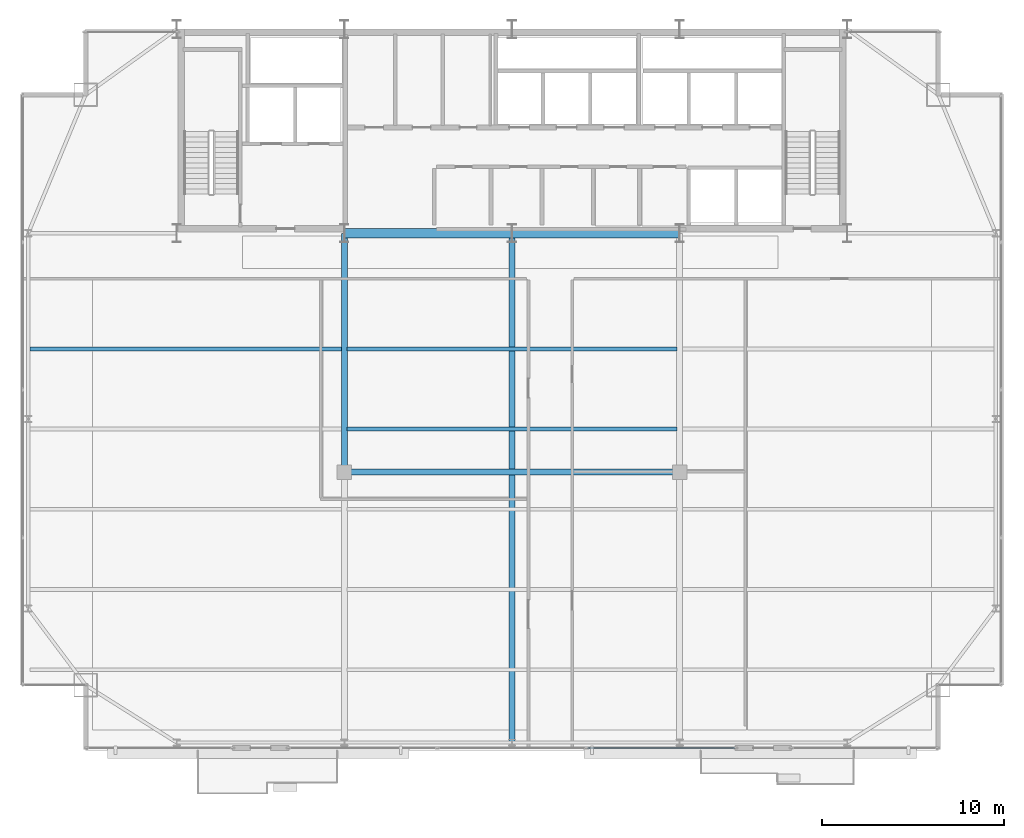
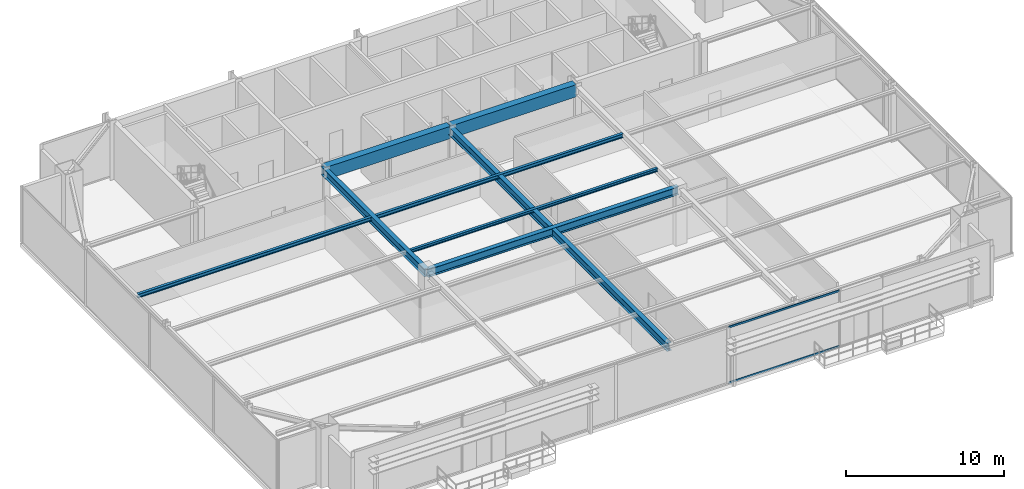
# One storey, part 12 of 25: 8 beams, 2 members, 1 element without a shape of its own.
"""IFC4 building model written with IfcOpenShell, lengths in metres."""

import ifcopenshell
import ifcopenshell.guid

model = None  # the IFC model being written
_history = None  # IfcOwnerHistory: only IFC2X3 demands one
_inside = {}  # id of a spatial element -> (the spatial element, [elements in it])
_under = {}  # id of a project, library or spatial element -> (it, [spatial elements below it])
_declared = {}  # id of a project -> (the project, [libraries it declares])
_typed = {}  # id of a type object -> (the type object, [elements of that type])
_made_of = {}  # id of a material, layer set ... -> (it, [elements and type objects made of it])


def new_model(schema):
    """Start an empty IFC model of exactly this schema.

    Asked for "IFC4X3", IfcOpenShell would pick the latest addendum, in which some entities
    have other attributes; the version numbers below select the first issue.
    IFC2X3 requires an IfcOwnerHistory on every rooted entity: one is made here for all.
    """
    global model, _history
    if schema == "IFC4X3":
        model = ifcopenshell.file(schema_version=(4, 3, 0, 0))
    else:
        model = ifcopenshell.file(schema=schema)
    _inside.clear()
    _under.clear()
    _declared.clear()
    _typed.clear()
    _made_of.clear()
    _history = None
    if model.schema == "IFC2X3":
        org = make("IfcOrganization", Name="unknown")
        user = make(
            "IfcPersonAndOrganization",
            ThePerson=make("IfcPerson", FamilyName="unknown"),
            TheOrganization=org,
        )
        app = make(
            "IfcApplication",
            ApplicationDeveloper=org,
            Version="unknown",
            ApplicationFullName="unknown",
            ApplicationIdentifier="unknown",
        )
        _history = make(
            "IfcOwnerHistory",
            OwningUser=user,
            OwningApplication=app,
            ChangeAction="ADDED",
            CreationDate=0,
        )
    return model


def make(cls, **values):
    """One entity of the class cls with the attributes given. An attribute that is None is left unset."""
    return model.create_entity(
        cls, **{name: value for name, value in values.items() if value is not None}
    )


def rooted(cls, **values):
    """An entity with a GlobalId (a new one), such as an element, a storey or a relation."""
    return make(cls, GlobalId=ifcopenshell.guid.new(), OwnerHistory=_history, **values)


def si_unit(unit_type, name, prefix=None):
    """IfcSIUnit, for example si_unit("LENGTHUNIT", "METRE", prefix="MILLI")."""
    return make("IfcSIUnit", UnitType=unit_type, Prefix=prefix, Name=name)


def assignment(units):
    """IfcUnitAssignment: the units of a project."""
    return None if units is None else make("IfcUnitAssignment", Units=units)


def point(xyz):
    """IfcCartesianPoint."""
    return None if xyz is None else make("IfcCartesianPoint", Coordinates=xyz)


def direction(xyz):
    """IfcDirection."""
    return None if xyz is None else make("IfcDirection", DirectionRatios=xyz)


def frame(location, z_axis=None, x_axis=None):
    """IfcAxis2Placement3D, a coordinate frame: its origin and axes. An axis left out is left unset."""
    return make(
        "IfcAxis2Placement3D",
        Location=point(location),
        Axis=direction(z_axis),
        RefDirection=direction(x_axis),
    )


def frame_2d(location, x_axis=None):
    """IfcAxis2Placement2D, a coordinate frame in the plane: its origin and x axis."""
    return make(
        "IfcAxis2Placement2D", Location=point(location), RefDirection=direction(x_axis)
    )


def origin():
    """The frame at (0, 0, 0) with its axes left unset."""
    return frame((0.0, 0.0, 0.0))


def origin_2d():
    """The frame at (0, 0) in the plane with its x axis left unset."""
    return frame_2d((0.0, 0.0))


def place(relative_to, where):
    """IfcLocalPlacement: puts the frame where relative to a parent placement (None: the world)."""
    return make(
        "IfcLocalPlacement", PlacementRelTo=relative_to, RelativePlacement=where
    )


def context(
    kind, dimensions, precision=None, world=None, true_north=None, identifier=None
):
    """IfcGeometricRepresentationContext, for example the 3D "Model" context."""
    return make(
        "IfcGeometricRepresentationContext",
        ContextIdentifier=identifier,
        ContextType=kind,
        CoordinateSpaceDimension=dimensions,
        Precision=precision,
        WorldCoordinateSystem=world,
        TrueNorth=true_north,
    )


def subcontext(parent, identifier, kind, view, scale=None):
    """IfcGeometricRepresentationSubContext, for example "Body" below "Model"."""
    return make(
        "IfcGeometricRepresentationSubContext",
        ContextIdentifier=identifier,
        ContextType=kind,
        ParentContext=parent,
        TargetScale=scale,
        TargetView=view,
    )


def project(units=None, contexts=None):
    """IfcProject with its units and contexts."""
    return rooted(
        "IfcProject",
        Name="project",
        RepresentationContexts=contexts,
        UnitsInContext=assignment(units),
    )


def spatial(cls, under=None, at=None, **own):
    """A site, building, storey or space (cls), placed at a placement, below another one or the project."""
    s = rooted(cls, ObjectPlacement=at, **own)
    if under is not None:
        _under.setdefault(under.id(), (under, []))[1].append(s)
    return s


def profile(cls, at=None, kind="AREA", **sizes):
    """A parametric profile (cls). Its sizes go by their IFC names, for example OverallWidth=200.0."""
    return make(cls, ProfileType=kind, Position=at, **sizes)


def rectangle(**sizes):
    """IfcRectangleProfileDef."""
    return profile("IfcRectangleProfileDef", **sizes)


def hollow_rectangle(**sizes):
    """IfcRectangleHollowProfileDef."""
    return profile("IfcRectangleHollowProfileDef", **sizes)


def i_section(**sizes):
    """IfcIShapeProfileDef."""
    return profile("IfcIShapeProfileDef", **sizes)


def extrude(swept, where, along, depth):
    """IfcExtrudedAreaSolid: the profile swept, set in the frame where, extruded along a direction by depth."""
    return make(
        "IfcExtrudedAreaSolid",
        SweptArea=swept,
        Position=where,
        ExtrudedDirection=direction(along),
        Depth=depth,
    )


def shape(context_of_items, identifier, shape_type, items):
    """IfcShapeRepresentation: the items that make up one representation, for example the "Body"."""
    return make(
        "IfcShapeRepresentation",
        ContextOfItems=context_of_items,
        RepresentationIdentifier=identifier,
        RepresentationType=shape_type,
        Items=items,
    )


def source(mapping_origin, context_of_items, identifier, shape_type, items):
    """IfcRepresentationMap: a shape defined once, which mapped items show again and again."""
    return make(
        "IfcRepresentationMap",
        MappingOrigin=mapping_origin,
        MappedRepresentation=shape(context_of_items, identifier, shape_type, items),
    )


def transform(
    local_origin,
    x_axis=None,
    y_axis=None,
    z_axis=None,
    scale=None,
    scale2=None,
    scale3=None,
    uniform=True,
):
    """IfcCartesianTransformationOperator3D, or its non-uniform kind. x_axis, y_axis, z_axis: its Axis1, 2, 3."""
    if uniform:
        return make(
            "IfcCartesianTransformationOperator3D",
            Axis1=direction(x_axis),
            Axis2=direction(y_axis),
            LocalOrigin=point(local_origin),
            Scale=scale,
            Axis3=direction(z_axis),
        )
    return make(
        "IfcCartesianTransformationOperator3DnonUniform",
        Axis1=direction(x_axis),
        Axis2=direction(y_axis),
        LocalOrigin=point(local_origin),
        Scale=scale,
        Axis3=direction(z_axis),
        Scale2=scale2,
        Scale3=scale3,
    )


def mapped(mapping_source, mapping_target):
    """IfcMappedItem: shows the shape of a source again, moved by a transform."""
    return make(
        "IfcMappedItem", MappingSource=mapping_source, MappingTarget=mapping_target
    )


def material(Name=None, Category=None):
    """IfcMaterial."""
    return make("IfcMaterial", Name=Name, Category=Category)


def layer(
    of_material, thickness, ventilated=None, Name=None, Category=None, Priority=None
):
    """IfcMaterialLayer: one layer of a wall or slab, of a material (None: an air gap)."""
    return make(
        "IfcMaterialLayer",
        Material=of_material,
        LayerThickness=thickness,
        IsVentilated=ventilated,
        Name=Name,
        Category=Category,
        Priority=Priority,
    )


def layer_set(layers, Name=None):
    """IfcMaterialLayerSet."""
    return make("IfcMaterialLayerSet", MaterialLayers=layers, LayerSetName=Name)


def material_profile(
    of_material, cross_section, Name=None, Category=None, Priority=None
):
    """IfcMaterialProfile: a cross section and its material."""
    return make(
        "IfcMaterialProfile",
        Name=Name,
        Material=of_material,
        Profile=cross_section,
        Priority=Priority,
        Category=Category,
    )


def profile_set(profiles, Name=None, composite=None):
    """IfcMaterialProfileSet."""
    return make(
        "IfcMaterialProfileSet",
        Name=Name,
        MaterialProfiles=profiles,
        CompositeProfile=composite,
    )


def made_of(thing, what):
    """Note that an element or type object is made of a material, layer set ...; save() writes the relation."""
    if what is not None:
        _made_of.setdefault(what.id(), (what, []))[1].append(thing)
    return thing


def type_object(cls, material=None, **own):
    """A type object (cls), such as IfcWallType, which elements share."""
    return made_of(rooted(cls, **own), material)


def type_shapes(of_type, sources):
    """Give a type object the sources (RepresentationMaps) that its elements show as mapped items."""
    of_type.RepresentationMaps = sources


def element(
    cls,
    number,
    at=None,
    inside=None,
    cuts=None,
    type_object=None,
    material=None,
    context=None,
    identifier="Body",
    shape_type=None,
    held_by="IfcProductDefinitionShape",
    body=None,
    shapes=None,
    **own,
):
    """One element of the class cls, such as IfcWall. Its Tag is "e" and its number.

    at: its placement. inside: the storey or other place that contains it. cuts: it is an
    opening in that element (IfcRelVoidsElement). A single representation is given by context,
    identifier, shape_type and body (its items); several are given by shapes. held_by: the class
    of the entity that holds the representations. save() writes the other relations.
    """
    e = rooted(cls, Tag="e%d" % number, ObjectPlacement=at, **own)
    if body is not None:
        shapes = [shape(context, identifier, shape_type, body)]
    if shapes is not None:
        e.Representation = make(held_by, Representations=shapes)
    if inside is not None:
        _inside.setdefault(inside.id(), (inside, []))[1].append(e)
    if cuts is not None:
        rooted(
            "IfcRelVoidsElement", RelatingBuildingElement=cuts, RelatedOpeningElement=e
        )
    if type_object is not None:
        _typed.setdefault(type_object.id(), (type_object, []))[1].append(e)
    return made_of(e, material)


def aggregate(whole, parts):
    """IfcRelAggregates: a whole, such as a stair, and the parts it consists of."""
    return rooted("IfcRelAggregates", RelatingObject=whole, RelatedObjects=parts)


def save(model, path):
    """Write the relations noted so far, then the file.

    IfcRelAggregates (storeys below a building ...), IfcRelContainedInSpatialStructure (elements
    in a storey), IfcRelDefinesByType, IfcRelAssociatesMaterial and IfcRelDeclares: one each for
    every whole, place, type object, material and project.
    """
    for whole, parts in _under.values():
        aggregate(whole, parts)
    for where, things in _inside.values():
        rooted(
            "IfcRelContainedInSpatialStructure",
            RelatedElements=things,
            RelatingStructure=where,
        )
    for kind, things in _typed.values():
        rooted("IfcRelDefinesByType", RelatedObjects=things, RelatingType=kind)
    for what, things in _made_of.values():
        rooted("IfcRelAssociatesMaterial", RelatedObjects=things, RelatingMaterial=what)
    for by, libraries in _declared.values():
        rooted("IfcRelDeclares", RelatingContext=by, RelatedDefinitions=libraries)
    model.write(path)


model = new_model("IFC4")

# Units and contexts
model_context = context("Model", 3, precision=1e-05, world=origin(), true_north=direction((0.0, 1.0)))
body_context = subcontext(model_context, "Body", "Model", "MODEL_VIEW")
ifc_project = project(units=[si_unit("LENGTHUNIT", "METRE"), si_unit("AREAUNIT", "SQUARE_METRE"), si_unit("VOLUMEUNIT", "CUBIC_METRE"), si_unit("PLANEANGLEUNIT", "RADIAN"), si_unit("MASSUNIT", "GRAM", prefix="KILO")], contexts=[model_context])

# Site, building, storey
site_placement = place(None, origin())
site = spatial("IfcSite", under=ifc_project, at=site_placement, CompositionType="ELEMENT")
building_placement = place(site_placement, origin())
building = spatial("IfcBuilding", under=site, at=building_placement, Name="Varnel Quay Broadcast Tower", CompositionType="ELEMENT")
storey_placement = place(building_placement, frame((0.0, 0.0, 191.39990234375)))
storey = spatial("IfcBuildingStorey", under=building, at=storey_placement, Name="L47", CompositionType="ELEMENT", Elevation=191.39990234375)

# Beams
ifc_material_1 = material(Name="Structural Steel CSA G40.21 350W", Category="steel")
ifc_material_profile_1 = material_profile(ifc_material_1, i_section(OverallWidth=0.324951171875, OverallDepth=0.615966796875, WebThickness=0.013916015625, FlangeThickness=0.021484375, FilletRadius=0.01611328125, at=origin_2d()), Name="W610X174")
ifc_profile_set_1 = profile_set([ifc_material_profile_1], Name="Structural Steel CSA G40.21 350W")
beam_type_1 = type_object("IfcBeamType", Name="Girder_W610X174", PredefinedType="BEAM", material=ifc_profile_set_1)
shared_shape_1 = source(origin(), body_context, "Body", "SweptSolid", [
    extrude(i_section(OverallWidth=0.324951171875, OverallDepth=0.615966796875, WebThickness=0.013916015625, FlangeThickness=0.021484375, FilletRadius=0.01611328125, at=origin_2d()), origin(), (0.0, 0.0, 1.0), 13.070068359375),
])
beam_1_placement = place(storey_placement, frame((24.800048828125, 22.510009765625, 4.0419921875), z_axis=(0.0, 1.0, 0.0), x_axis=(-1.0, 0.0, 0.0)))
element("IfcBeam", 1, at=beam_1_placement, inside=storey, type_object=beam_type_1, Name="L47 Primary Girder IC-01-CC-S2", PredefinedType="BEAM", context=body_context, shape_type="MappedRepresentation", body=[
    mapped(shared_shape_1, transform((0.0, 0.0, 0.0), x_axis=(1.0, 0.0, 0.0), y_axis=(0.0, 1.0, 0.0), z_axis=(0.0, 0.0, 1.0), scale=1.0)),
])
shared_shape_2 = source(origin(), body_context, "Body", "SweptSolid", [
    extrude(i_section(OverallWidth=0.324951171875, OverallDepth=0.615966796875, WebThickness=0.013916015625, FlangeThickness=0.021484375, FilletRadius=0.01611328125, at=origin_2d()), origin(), (0.0, 0.0, 1.0), 18.35986328125),
])
beam_2_placement = place(storey_placement, frame((24.820068359375, 22.489990234375, 4.0419921875), z_axis=(1.0, 0.0, 0.0), x_axis=(0.0, 1.0, 0.0)))
element("IfcBeam", 2, at=beam_2_placement, inside=storey, type_object=beam_type_1, Name="L47 Interior Spine Girder", PredefinedType="BEAM", context=body_context, shape_type="MappedRepresentation", body=[
    mapped(shared_shape_2, transform((0.0, 0.0, 0.0), x_axis=(1.0, 0.0, 0.0), y_axis=(0.0, 1.0, 0.0), z_axis=(0.0, 0.0, 1.0), scale=1.0)),
])
shared_shape_3 = source(origin(), body_context, "Body", "SweptSolid", [
    extrude(i_section(OverallWidth=0.324951171875, OverallDepth=0.615966796875, WebThickness=0.013916015625, FlangeThickness=0.021484375, FilletRadius=0.01611328125, at=origin_2d()), origin(), (0.0, 0.0, 1.0), 27.91015625),
])
type_shapes(beam_type_1, [shared_shape_1, shared_shape_2, shared_shape_3])
beam_3_placement = place(storey_placement, frame((34.0, 7.669921875, 4.0419921875), z_axis=(0.0, 1.0, 0.0), x_axis=(-1.0, 0.0, 0.0)))
element("IfcBeam", 3, at=beam_3_placement, inside=storey, type_object=beam_type_1, Name="L47 Central Bay Girder", PredefinedType="BEAM", context=body_context, shape_type="MappedRepresentation", body=[
    mapped(shared_shape_3, transform((0.0, 0.0, 0.0), x_axis=(1.0, 0.0, 0.0), y_axis=(0.0, 1.0, 0.0), z_axis=(0.0, 0.0, 1.0), scale=1.0)),
])
ifc_material_2 = material(Name="Concrete CSA A23.3 C50/60", Category="concrete")
ifc_material_profile_2 = material_profile(ifc_material_2, rectangle(XDim=0.5, YDim=0.949951171875, at=origin_2d()), Name="RC500X950")
ifc_profile_set_2 = profile_set([ifc_material_profile_2], Name="Concrete CSA A23.3 C50/60")
beam_type_2 = type_object("IfcBeamType", Name="Beam_RC500X950", PredefinedType="BEAM", material=ifc_profile_set_2)
shared_shape_4 = source(origin(), body_context, "Body", "SweptSolid", [
    extrude(rectangle(XDim=0.5, YDim=0.949951171875, at=origin_2d()), origin(), (0.0, 0.0, 1.0), 9.159912109375),
])
type_shapes(beam_type_2, [shared_shape_4])
for number, where, z_axis, x_axis, name in (
    (4, (24.820068359375, 35.60009765625, 3.875), (1.0, 0.0, 0.0), (0.0, 1.0, 0.0), "L47 Core Coupling Beam W"),
    (5, (34.02001953125, 35.60009765625, 3.875), (1.0, 0.0, 0.0), (0.0, 1.0, 0.0), "L47 Core Coupling Beam E"),
):
    element("IfcBeam", number, at=place(storey_placement, frame(where, z_axis=z_axis, x_axis=x_axis)), inside=storey, type_object=beam_type_2, Name=name, PredefinedType="BEAM", context=body_context, shape_type="MappedRepresentation", body=[
        mapped(shared_shape_4, transform((0.0, 0.0, 0.0), x_axis=(1.0, 0.0, 0.0), y_axis=(0.0, 1.0, 0.0), z_axis=(0.0, 0.0, 1.0), scale=1.0)),
    ])
ifc_material_profile_3 = material_profile(ifc_material_1, i_section(OverallWidth=0.202880859375, OverallDepth=0.302978515625, WebThickness=0.007568359375, FlangeThickness=0.01318359375, FilletRadius=0.011962890625, at=origin_2d()), Name="W310X60")
ifc_profile_set_3 = profile_set([ifc_material_profile_3], Name="Structural Steel CSA G40.21 350W")
beam_type_3 = type_object("IfcBeamType", Name="Beam_W310X60", PredefinedType="JOIST", material=ifc_profile_set_3)
shared_shape_5 = source(origin(), body_context, "Body", "SweptSolid", [
    extrude(i_section(OverallWidth=0.202880859375, OverallDepth=0.302978515625, WebThickness=0.007568359375, FlangeThickness=0.01318359375, FilletRadius=0.011962890625, at=origin_2d()), origin(), (0.0, 0.0, 1.0), 17.107177734375),
])
beam_4_placement = place(storey_placement, frame((7.535400390625, 29.25, 4.198486328125), z_axis=(1.0, 0.0, 0.0), x_axis=(0.0, 1.0, 0.0)))
element("IfcBeam", 6, at=beam_4_placement, inside=storey, type_object=beam_type_3, Name="L47 West Floor Joist 5", PredefinedType="JOIST", context=body_context, shape_type="MappedRepresentation", body=[
    mapped(shared_shape_5, transform((0.0, 0.0, 0.0), x_axis=(1.0, 0.0, 0.0), y_axis=(0.0, 1.0, 0.0), z_axis=(0.0, 0.0, 1.0), scale=1.0)),
])
shared_shape_6 = source(origin(), body_context, "Body", "SweptSolid", [
    extrude(i_section(OverallWidth=0.202880859375, OverallDepth=0.302978515625, WebThickness=0.007568359375, FlangeThickness=0.01318359375, FilletRadius=0.011962890625, at=origin_2d()), origin(), (0.0, 0.0, 1.0), 18.0849609375),
])
type_shapes(beam_type_3, [shared_shape_5, shared_shape_6])
beam_5_placement = place(storey_placement, frame((24.95751953125, 29.25, 4.198486328125), z_axis=(1.0, 0.0, 0.0), x_axis=(0.0, 1.0, 0.0)))
element("IfcBeam", 7, at=beam_5_placement, inside=storey, type_object=beam_type_3, Name="L47 Central Floor Joist 5", PredefinedType="JOIST", context=body_context, shape_type="MappedRepresentation", body=[
    mapped(shared_shape_6, transform((0.0, 0.0, 0.0), x_axis=(1.0, 0.0, 0.0), y_axis=(0.0, 1.0, 0.0), z_axis=(0.0, 0.0, 1.0), scale=1.0)),
])
ifc_material_profile_4 = material_profile(ifc_material_1, i_section(OverallWidth=0.201904296875, OverallDepth=0.2470703125, WebThickness=0.00732421875, FlangeThickness=0.010986328125, FilletRadius=0.010986328125, at=origin_2d()), Name="W250X49")
ifc_profile_set_4 = profile_set([ifc_material_profile_4], Name="Structural Steel CSA G40.21 350W")
beam_type_4 = type_object("IfcBeamType", Name="Beam_W250X49", PredefinedType="JOIST", material=ifc_profile_set_4)
shared_shape_7 = source(origin(), body_context, "Body", "SweptSolid", [
    extrude(i_section(OverallWidth=0.201904296875, OverallDepth=0.2470703125, WebThickness=0.00732421875, FlangeThickness=0.010986328125, FilletRadius=0.010986328125, at=origin_2d()), origin(), (0.0, 0.0, 1.0), 18.0849609375),
])
type_shapes(beam_type_4, [shared_shape_7])
beam_6_placement = place(storey_placement, frame((24.95751953125, 24.85009765625, 4.2265625), z_axis=(1.0, 0.0, 0.0), x_axis=(0.0, 1.0, 0.0)))
element("IfcBeam", 8, at=beam_6_placement, inside=storey, type_object=beam_type_4, Name="L47 Central Floor Joist 4", PredefinedType="JOIST", context=body_context, shape_type="MappedRepresentation", body=[
    mapped(shared_shape_7, transform((0.0, 0.0, 0.0), x_axis=(1.0, 0.0, 0.0), y_axis=(0.0, 1.0, 0.0), z_axis=(0.0, 0.0, 1.0), scale=1.0)),
])

# Curtain wall, members
ifc_material_3 = material(Name="Anodised Bronze Aluminium 6063-T6", Category="aluminium")
ifc_layer = layer(ifc_material_3, 0.18994140625, Name="Anodised Bronze Aluminium 6063-T6")
ifc_layer_set = layer_set([ifc_layer], Name="Anodised Bronze Aluminium 6063-T6")
curtain_wall_type = type_object("IfcCurtainWallType", Name="CW_SkyObsHighVis", PredefinedType="NOTDEFINED", material=ifc_layer_set)
curtain_wall_placement = place(storey_placement, origin())
curtain_wall = element("IfcCurtainWall", 9, at=curtain_wall_placement, inside=storey, type_object=curtain_wall_type, Name="L47 South Unitised Curtain Wall 2", PredefinedType="NOTDEFINED")
ifc_material_profile_5 = material_profile(ifc_material_3, hollow_rectangle(XDim=0.06005859375, YDim=0.14501953125, WallThickness=0.00341796875, at=origin_2d()), Name="ALU60X145X3.5")
ifc_profile_set_5 = profile_set([ifc_material_profile_5], Name="Anodised Bronze Aluminium 6063-T6")
member_type = type_object("IfcMemberType", Name="Tran_CWS-05", PredefinedType="USERDEFINED", material=ifc_profile_set_5)
shared_shape_8 = source(origin(), body_context, "Body", "SweptSolid", [
    extrude(hollow_rectangle(XDim=0.06005859375, YDim=0.14501953125, WallThickness=0.00341796875, at=origin_2d()), origin(), (0.0, 0.0, 1.0), 8.100830078125),
])
type_shapes(member_type, [shared_shape_8])
member_1_placement = place(storey_placement, frame((38.144287109375, 7.35009765625, 0.030029296875), z_axis=(1.0, 0.0, 0.0), x_axis=(0.0, 1.0, 0.0)))
member_1 = element("IfcMember", 10, at=member_1_placement, type_object=member_type, Name="CWS-05 transom 3.1", ObjectType="TRANSOM", PredefinedType="USERDEFINED", context=body_context, shape_type="MappedRepresentation", body=[
    mapped(shared_shape_8, transform((0.0, 0.0, 0.0), x_axis=(1.0, 0.0, 0.0), y_axis=(0.0, 1.0, 0.0), z_axis=(0.0, 0.0, 1.0), scale=1.0)),
])
member_2_placement = place(storey_placement, frame((38.144287109375, 7.35009765625, 4.320068359375), z_axis=(1.0, 0.0, 0.0), x_axis=(0.0, 1.0, 0.0)))
member_2 = element("IfcMember", 11, at=member_2_placement, type_object=member_type, Name="CWS-05 transom 3.2", ObjectType="TRANSOM", PredefinedType="USERDEFINED", context=body_context, shape_type="MappedRepresentation", body=[
    mapped(shared_shape_8, transform((0.0, 0.0, 0.0), x_axis=(1.0, 0.0, 0.0), y_axis=(0.0, 1.0, 0.0), z_axis=(0.0, 0.0, 1.0), scale=1.0)),
])
aggregate(curtain_wall, [member_1, member_2])

save(model, "model.ifc")
